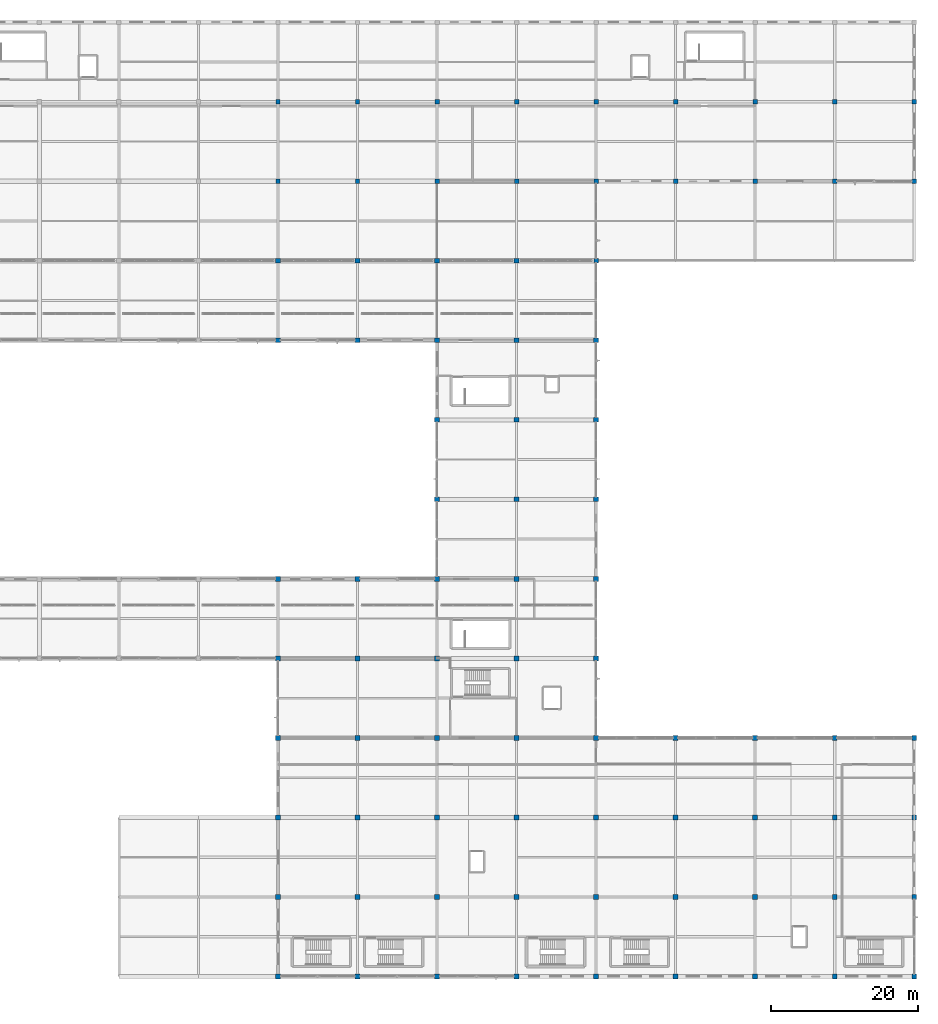
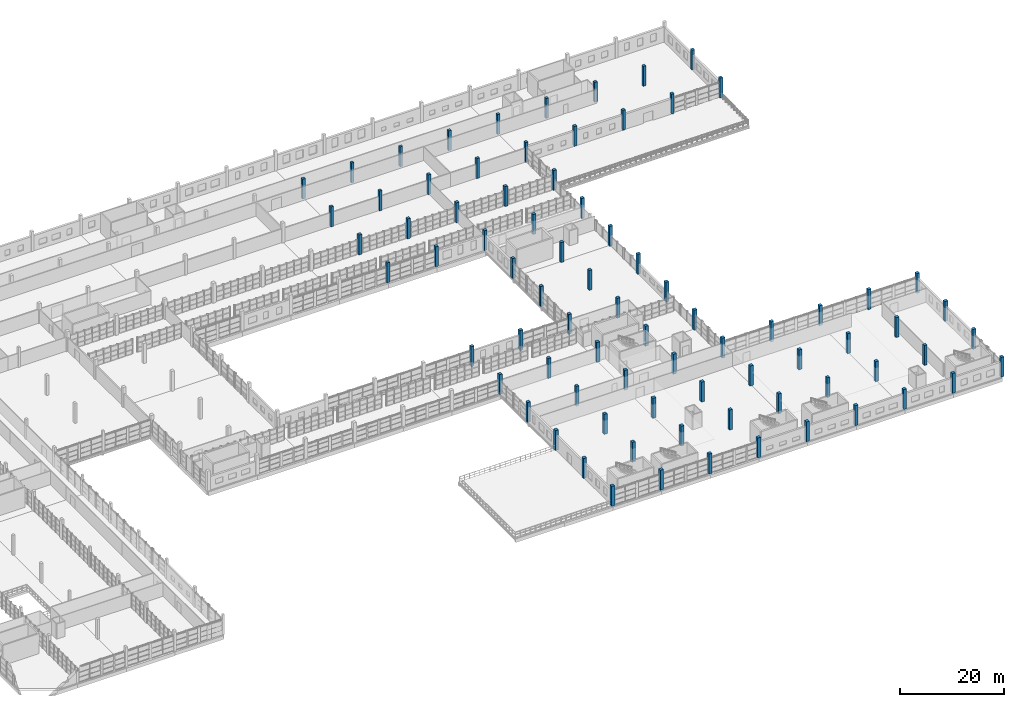
# One storey, part 3 of 142: 80 columns.
"""IFC4 building model written with IfcOpenShell, lengths in metres."""

from ifc_helpers import new_model, si_unit, direction, frame, origin, origin_2d, place, context, subcontext, project, spatial, rectangle, extrude, material, material_profile, profile_set, type_object, element, save


model = new_model("IFC4")

# Units and contexts
model_context = context("Model", 3, precision=1e-05, world=origin(), true_north=direction((0.0, 1.0)))
body_context = subcontext(model_context, "Body", "Model", "MODEL_VIEW")
ifc_project = project(units=[si_unit("LENGTHUNIT", "METRE"), si_unit("AREAUNIT", "SQUARE_METRE"), si_unit("VOLUMEUNIT", "CUBIC_METRE"), si_unit("PLANEANGLEUNIT", "RADIAN"), si_unit("MASSUNIT", "GRAM", prefix="KILO")], contexts=[model_context])

# Site, building, storey
site_placement = place(None, origin())
site = spatial("IfcSite", under=ifc_project, at=site_placement, CompositionType="ELEMENT")
building_placement = place(site_placement, origin())
building = spatial("IfcBuilding", under=site, at=building_placement, Name="Zwinboog Wholesale Market", CompositionType="ELEMENT")
storey_placement = place(building_placement, frame((0.0, 0.0, 5.39990234375)))
storey = spatial("IfcBuildingStorey", under=building, at=storey_placement, Name="L01", CompositionType="ELEMENT", Elevation=5.39990234375)

# Columns
ifc_material = material(Name="Precast concrete C45/55", Category="concrete")
ifc_material_profile_1 = material_profile(ifc_material, rectangle(XDim=0.699951171875, YDim=0.699951171875, at=origin_2d()), Name="PC 700x700")
ifc_profile_set_1 = profile_set([ifc_material_profile_1], Name="Precast concrete C45/55")
column_type_1 = type_object("IfcColumnType", Name="CT-02", PredefinedType="COLUMN", material=ifc_profile_set_1)
for number, where, z_axis, x_axis, name in (
    (1, (129.60009765625, 0.0, 0.0), (0.0, 0.0, 1.0), (1.0, 0.0, 0.0), "C-02 (COL-L01-0262)"),
    (2, (129.60009765625, 10.800048828125, 0.0), (0.0, 0.0, 1.0), (1.0, 0.0, 0.0), "C-02 (COL-L01-0266)"),
    (3, (129.60009765625, 21.60009765625, 0.0), (0.0, 0.0, 1.0), (1.0, 0.0, 0.0), "C-02 (COL-L01-0270)"),
    (4, (140.39990234375, 0.0, 0.0), (0.0, 0.0, 1.0), (1.0, 0.0, 0.0), "C-02 (COL-L01-0294)"),
    (5, (140.39990234375, 10.800048828125, 0.0), (0.0, 0.0, 1.0), (1.0, 0.0, 0.0), "C-02 (COL-L01-0298)"),
    (6, (140.39990234375, 21.60009765625, 0.0), (0.0, 0.0, 1.0), (1.0, 0.0, 0.0), "C-02 (COL-L01-0302)"),
    (7, (151.199951171875, 0.0, 0.0), (0.0, 0.0, 1.0), (1.0, 0.0, 0.0), "C-02 (COL-L01-0326)"),
    (8, (151.199951171875, 10.800048828125, 0.0), (0.0, 0.0, 1.0), (1.0, 0.0, 0.0), "C-02 (COL-L01-0330)"),
    (9, (151.199951171875, 21.60009765625, 0.0), (0.0, 0.0, 1.0), (1.0, 0.0, 0.0), "C-02 (COL-L01-0334)"),
    (10, (151.199951171875, 32.39990234375, 0.0), (0.0, 0.0, 1.0), (1.0, 0.0, 0.0), "C-02 (COL-L01-0338)"),
    (11, (151.199951171875, 43.199951171875, 0.0), (0.0, 0.0, 1.0), (1.0, 0.0, 0.0), "C-02 (COL-L01-0342)"),
    (12, (162.0, 0.0, 0.0), (0.0, 0.0, 1.0), (1.0, 0.0, 0.0), "C-02 (COL-L01-0362)"),
    (13, (162.0, 10.800048828125, 0.0), (0.0, 0.0, 1.0), (1.0, 0.0, 0.0), "C-02 (COL-L01-0366)"),
    (14, (162.0, 21.60009765625, 0.0), (0.0, 0.0, 1.0), (1.0, 0.0, 0.0), "C-02 (COL-L01-0370)"),
    (15, (162.0, 32.39990234375, 0.0), (0.0, 0.0, 1.0), (1.0, 0.0, 0.0), "C-02 (COL-L01-0374)"),
    (16, (162.0, 43.199951171875, 0.0), (0.0, 0.0, 1.0), (1.0, 0.0, 0.0), "C-02 (COL-L01-0378)"),
    (17, (172.800048828125, 0.0, 0.0), (0.0, 0.0, 1.0), (1.0, 0.0, 0.0), "C-02 (COL-L01-0398)"),
    (18, (172.800048828125, 10.800048828125, 0.0), (0.0, 0.0, 1.0), (1.0, 0.0, 0.0), "C-02 (COL-L01-0402)"),
    (19, (172.800048828125, 21.60009765625, 0.0), (0.0, 0.0, 1.0), (1.0, 0.0, 0.0), "C-02 (COL-L01-0406)"),
    (20, (172.800048828125, 32.39990234375, 0.0), (0.0, 0.0, 1.0), (1.0, 0.0, 0.0), "C-02 (COL-L01-0410)"),
    (21, (172.800048828125, 43.199951171875, 0.0), (0.0, 0.0, 1.0), (1.0, 0.0, 0.0), "C-02 (COL-L01-0414)"),
):
    element("IfcColumn", number, at=place(storey_placement, frame(where, z_axis=z_axis, x_axis=x_axis)), inside=storey, type_object=column_type_1, Name=name, PredefinedType="COLUMN", context=body_context, shape_type="SweptSolid", body=[
        extrude(rectangle(XDim=0.699951171875, YDim=0.699951171875, at=origin_2d()), origin(), (0.0, 0.0, 1.0), 4.68017578125),
    ])
ifc_material_profile_2 = material_profile(ifc_material, rectangle(XDim=0.64990234375, YDim=0.64990234375, at=origin_2d()), Name="PC 650x650")
ifc_profile_set_2 = profile_set([ifc_material_profile_2], Name="Precast concrete C45/55")
column_type_2 = type_object("IfcColumnType", Name="CT-03", PredefinedType="COLUMN", material=ifc_profile_set_2)
for number, where, z_axis, x_axis, name in (
    (22, (129.60009765625, 32.39990234375, 0.0), (0.0, 0.0, 1.0), (1.0, 0.0, 0.0), "C-03 (COL-L01-0274)"),
    (23, (129.60009765625, 43.199951171875, 0.0), (0.0, 0.0, 1.0), (1.0, 0.0, 0.0), "C-03 (COL-L01-0277)"),
    (24, (129.60009765625, 54.0, 0.0), (0.0, 0.0, 1.0), (1.0, 0.0, 0.0), "C-03 (COL-L01-0280)"),
    (25, (129.60009765625, 86.39990234375, 0.0), (0.0, 0.0, 1.0), (1.0, 0.0, 0.0), "C-03 (COL-L01-0284)"),
    (26, (129.60009765625, 97.199951171875, 0.0), (0.0, 0.0, 1.0), (1.0, 0.0, 0.0), "C-03 (COL-L01-0286)"),
    (27, (140.39990234375, 32.39990234375, 0.0), (0.0, 0.0, 1.0), (1.0, 0.0, 0.0), "C-03 (COL-L01-0306)"),
    (28, (140.39990234375, 43.199951171875, 0.0), (0.0, 0.0, 1.0), (1.0, 0.0, 0.0), "C-03 (COL-L01-0309)"),
    (29, (140.39990234375, 54.0, 0.0), (0.0, 0.0, 1.0), (1.0, 0.0, 0.0), "C-03 (COL-L01-0312)"),
    (30, (140.39990234375, 86.39990234375, 0.0), (0.0, 0.0, 1.0), (1.0, 0.0, 0.0), "C-03 (COL-L01-0316)"),
    (31, (140.39990234375, 97.199951171875, 0.0), (0.0, 0.0, 1.0), (1.0, 0.0, 0.0), "C-03 (COL-L01-0318)"),
    (32, (151.199951171875, 54.0, 0.0), (0.0, 0.0, 1.0), (1.0, 0.0, 0.0), "C-03 (COL-L01-0346)"),
    (33, (151.199951171875, 64.800048828125, 0.0), (0.0, 0.0, 1.0), (1.0, 0.0, 0.0), "C-03 (COL-L01-0348)"),
    (34, (151.199951171875, 75.60009765625, 0.0), (0.0, 0.0, 1.0), (1.0, 0.0, 0.0), "C-03 (COL-L01-0350)"),
    (35, (151.199951171875, 86.39990234375, 0.0), (0.0, 0.0, 1.0), (1.0, 0.0, 0.0), "C-03 (COL-L01-0352)"),
    (36, (151.199951171875, 97.199951171875, 0.0), (0.0, 0.0, 1.0), (1.0, 0.0, 0.0), "C-03 (COL-L01-0354)"),
    (37, (162.0, 54.0, 0.0), (0.0, 0.0, 1.0), (1.0, 0.0, 0.0), "C-03 (COL-L01-0382)"),
    (38, (162.0, 64.800048828125, 0.0), (0.0, 0.0, 1.0), (1.0, 0.0, 0.0), "C-03 (COL-L01-0384)"),
    (39, (162.0, 75.60009765625, 0.0), (0.0, 0.0, 1.0), (1.0, 0.0, 0.0), "C-03 (COL-L01-0386)"),
    (40, (162.0, 86.39990234375, 0.0), (0.0, 0.0, 1.0), (1.0, 0.0, 0.0), "C-03 (COL-L01-0388)"),
    (41, (162.0, 97.199951171875, 0.0), (0.0, 0.0, 1.0), (1.0, 0.0, 0.0), "C-03 (COL-L01-0390)"),
    (42, (172.800048828125, 54.0, 0.0), (0.0, 0.0, 1.0), (1.0, 0.0, 0.0), "C-03 (COL-L01-0418)"),
    (43, (172.800048828125, 64.800048828125, 0.0), (0.0, 0.0, 1.0), (1.0, 0.0, 0.0), "C-03 (COL-L01-0420)"),
    (44, (172.800048828125, 75.60009765625, 0.0), (0.0, 0.0, 1.0), (1.0, 0.0, 0.0), "C-03 (COL-L01-0422)"),
    (45, (172.800048828125, 86.39990234375, 0.0), (0.0, 0.0, 1.0), (1.0, 0.0, 0.0), "C-03 (COL-L01-0424)"),
    (46, (183.60009765625, 0.0, 0.0), (0.0, 0.0, 1.0), (1.0, 0.0, 0.0), "C-03 (COL-L01-0434)"),
    (47, (183.60009765625, 10.800048828125, 0.0), (0.0, 0.0, 1.0), (1.0, 0.0, 0.0), "C-03 (COL-L01-0437)"),
    (48, (183.60009765625, 21.60009765625, 0.0), (0.0, 0.0, 1.0), (1.0, 0.0, 0.0), "C-03 (COL-L01-0440)"),
    (49, (183.60009765625, 32.39990234375, 0.0), (0.0, 0.0, 1.0), (1.0, 0.0, 0.0), "C-03 (COL-L01-0443)"),
    (50, (194.39990234375, 0.0, 0.0), (0.0, 0.0, 1.0), (1.0, 0.0, 0.0), "C-03 (COL-L01-0458)"),
    (51, (194.39990234375, 10.800048828125, 0.0), (0.0, 0.0, 1.0), (1.0, 0.0, 0.0), "C-03 (COL-L01-0461)"),
    (52, (194.39990234375, 21.60009765625, 0.0), (0.0, 0.0, 1.0), (1.0, 0.0, 0.0), "C-03 (COL-L01-0464)"),
    (53, (194.39990234375, 32.39990234375, 0.0), (0.0, 0.0, 1.0), (1.0, 0.0, 0.0), "C-03 (COL-L01-0467)"),
    (54, (205.199951171875, 0.0, 0.0), (0.0, 0.0, 1.0), (1.0, 0.0, 0.0), "C-03 (COL-L01-0477)"),
    (55, (205.199951171875, 10.800048828125, 0.0), (0.0, 0.0, 1.0), (1.0, 0.0, 0.0), "C-03 (COL-L01-0480)"),
    (56, (205.199951171875, 21.60009765625, 0.0), (0.0, 0.0, 1.0), (1.0, 0.0, 0.0), "C-03 (COL-L01-0483)"),
    (57, (205.199951171875, 32.39990234375, 0.0), (0.0, 0.0, 1.0), (1.0, 0.0, 0.0), "C-03 (COL-L01-0486)"),
    (58, (216.0, 0.0, 0.0), (0.0, 0.0, 1.0), (1.0, 0.0, 0.0), "C-03 (COL-L01-0496)"),
    (59, (216.0, 10.800048828125, 0.0), (0.0, 0.0, 1.0), (1.0, 0.0, 0.0), "C-03 (COL-L01-0499)"),
    (60, (216.0, 21.60009765625, 0.0), (0.0, 0.0, 1.0), (1.0, 0.0, 0.0), "C-03 (COL-L01-0502)"),
    (61, (216.0, 32.39990234375, 0.0), (0.0, 0.0, 1.0), (1.0, 0.0, 0.0), "C-03 (COL-L01-0505)"),
):
    element("IfcColumn", number, at=place(storey_placement, frame(where, z_axis=z_axis, x_axis=x_axis)), inside=storey, type_object=column_type_2, Name=name, PredefinedType="COLUMN", context=body_context, shape_type="SweptSolid", body=[
        extrude(rectangle(XDim=0.64990234375, YDim=0.64990234375, at=origin_2d()), origin(), (0.0, 0.0, 1.0), 4.68017578125),
    ])
ifc_material_profile_3 = material_profile(ifc_material, rectangle(XDim=0.60009765625, YDim=0.60009765625, at=origin_2d()), Name="PC 600x600")
ifc_profile_set_3 = profile_set([ifc_material_profile_3], Name="Precast concrete C45/55")
column_type_3 = type_object("IfcColumnType", Name="CT-04", PredefinedType="COLUMN", material=ifc_profile_set_3)
for number, where, z_axis, x_axis, name in (
    (62, (129.60009765625, 108.0, 0.0), (0.0, 0.0, 1.0), (1.0, 0.0, 0.0), "C-04 (COL-L01-0288)"),
    (63, (129.60009765625, 118.800048828125, 0.0), (0.0, 0.0, 1.0), (1.0, 0.0, 0.0), "C-04 (COL-L01-0290)"),
    (64, (140.39990234375, 108.0, 0.0), (0.0, 0.0, 1.0), (1.0, 0.0, 0.0), "C-04 (COL-L01-0320)"),
    (65, (140.39990234375, 118.800048828125, 0.0), (0.0, 0.0, 1.0), (1.0, 0.0, 0.0), "C-04 (COL-L01-0322)"),
    (66, (151.199951171875, 108.0, 0.0), (0.0, 0.0, 1.0), (1.0, 0.0, 0.0), "C-04 (COL-L01-0356)"),
    (67, (151.199951171875, 118.800048828125, 0.0), (0.0, 0.0, 1.0), (1.0, 0.0, 0.0), "C-04 (COL-L01-0358)"),
    (68, (162.0, 108.0, 0.0), (0.0, 0.0, 1.0), (1.0, 0.0, 0.0), "C-04 (COL-L01-0392)"),
    (69, (162.0, 118.800048828125, 0.0), (0.0, 0.0, 1.0), (1.0, 0.0, 0.0), "C-04 (COL-L01-0394)"),
    (70, (172.800048828125, 97.199951171875, 0.0), (0.0, 0.0, 1.0), (1.0, 0.0, 0.0), "C-04 (COL-L01-0426)"),
    (71, (172.800048828125, 108.0, 0.0), (0.0, 0.0, 1.0), (1.0, 0.0, 0.0), "C-04 (COL-L01-0428)"),
    (72, (172.800048828125, 118.800048828125, 0.0), (0.0, 0.0, 1.0), (1.0, 0.0, 0.0), "C-04 (COL-L01-0430)"),
    (73, (183.60009765625, 108.0, 0.0), (0.0, 0.0, 1.0), (1.0, 0.0, 0.0), "C-04 (COL-L01-0452)"),
    (74, (183.60009765625, 118.800048828125, 0.0), (0.0, 0.0, 1.0), (1.0, 0.0, 0.0), "C-04 (COL-L01-0454)"),
    (75, (194.39990234375, 108.0, 0.0), (0.0, 0.0, 1.0), (1.0, 0.0, 0.0), "C-04 (COL-L01-0471)"),
    (76, (194.39990234375, 118.800048828125, 0.0), (0.0, 0.0, 1.0), (1.0, 0.0, 0.0), "C-04 (COL-L01-0473)"),
    (77, (205.199951171875, 108.0, 0.0), (0.0, 0.0, 1.0), (1.0, 0.0, 0.0), "C-04 (COL-L01-0490)"),
    (78, (205.199951171875, 118.800048828125, 0.0), (0.0, 0.0, 1.0), (1.0, 0.0, 0.0), "C-04 (COL-L01-0492)"),
    (79, (216.0, 108.0, 0.0), (0.0, 0.0, 1.0), (1.0, 0.0, 0.0), "C-04 (COL-L01-0509)"),
    (80, (216.0, 118.800048828125, 0.0), (0.0, 0.0, 1.0), (1.0, 0.0, 0.0), "C-04 (COL-L01-0511)"),
):
    element("IfcColumn", number, at=place(storey_placement, frame(where, z_axis=z_axis, x_axis=x_axis)), inside=storey, type_object=column_type_3, Name=name, PredefinedType="COLUMN", context=body_context, shape_type="SweptSolid", body=[
        extrude(rectangle(XDim=0.60009765625, YDim=0.60009765625, at=origin_2d()), origin(), (0.0, 0.0, 1.0), 4.68017578125),
    ])

save(model, "model.ifc")
